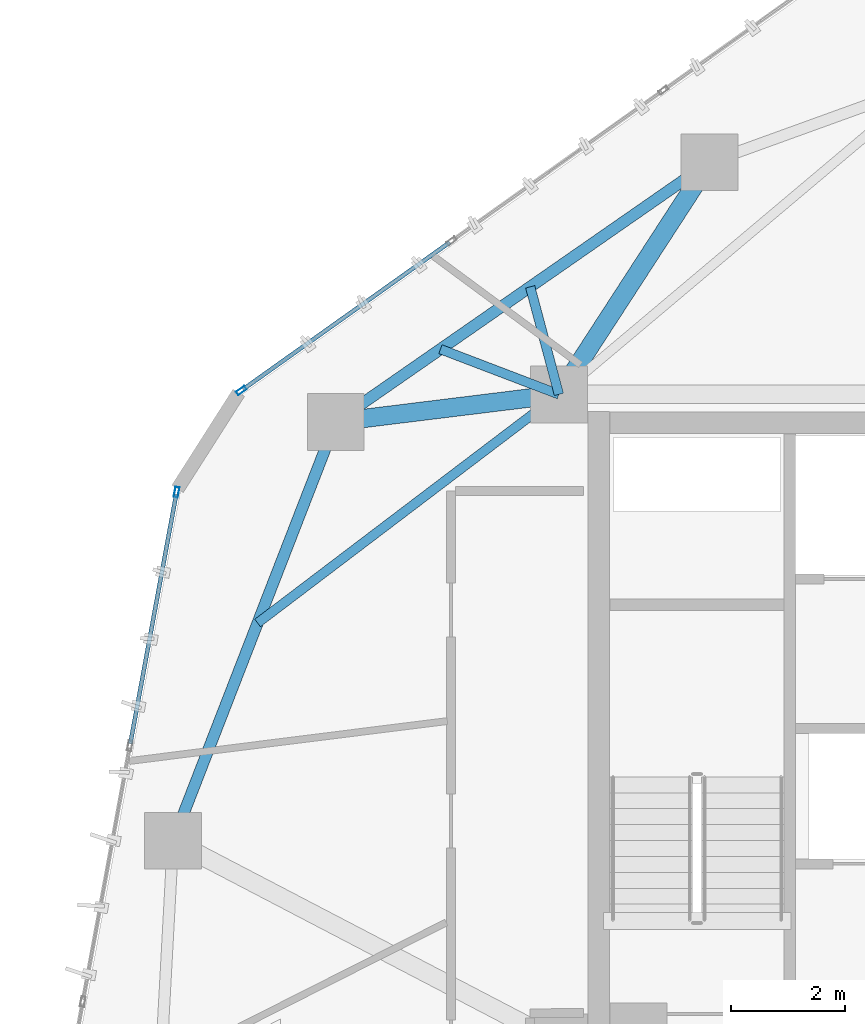
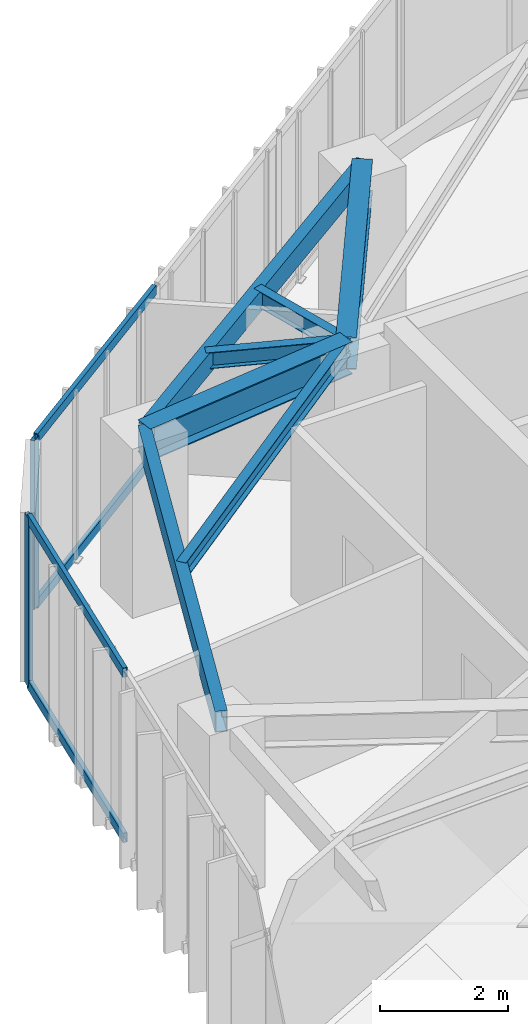
# One storey, part 7 of 19: 7 beams, 6 members, 2 elements without a shape of their own.
"""IFC4 building model written with IfcOpenShell, lengths in metres."""

import ifcopenshell
import ifcopenshell.guid

model = None  # the IFC model being written
_history = None  # IfcOwnerHistory: only IFC2X3 demands one
_inside = {}  # id of a spatial element -> (the spatial element, [elements in it])
_under = {}  # id of a project, library or spatial element -> (it, [spatial elements below it])
_declared = {}  # id of a project -> (the project, [libraries it declares])
_typed = {}  # id of a type object -> (the type object, [elements of that type])
_made_of = {}  # id of a material, layer set ... -> (it, [elements and type objects made of it])


def new_model(schema):
    """Start an empty IFC model of exactly this schema.

    Asked for "IFC4X3", IfcOpenShell would pick the latest addendum, in which some entities
    have other attributes; the version numbers below select the first issue.
    IFC2X3 requires an IfcOwnerHistory on every rooted entity: one is made here for all.
    """
    global model, _history
    if schema == "IFC4X3":
        model = ifcopenshell.file(schema_version=(4, 3, 0, 0))
    else:
        model = ifcopenshell.file(schema=schema)
    _inside.clear()
    _under.clear()
    _declared.clear()
    _typed.clear()
    _made_of.clear()
    _history = None
    if model.schema == "IFC2X3":
        org = make("IfcOrganization", Name="unknown")
        user = make(
            "IfcPersonAndOrganization",
            ThePerson=make("IfcPerson", FamilyName="unknown"),
            TheOrganization=org,
        )
        app = make(
            "IfcApplication",
            ApplicationDeveloper=org,
            Version="unknown",
            ApplicationFullName="unknown",
            ApplicationIdentifier="unknown",
        )
        _history = make(
            "IfcOwnerHistory",
            OwningUser=user,
            OwningApplication=app,
            ChangeAction="ADDED",
            CreationDate=0,
        )
    return model


def make(cls, **values):
    """One entity of the class cls with the attributes given. An attribute that is None is left unset."""
    return model.create_entity(
        cls, **{name: value for name, value in values.items() if value is not None}
    )


def rooted(cls, **values):
    """An entity with a GlobalId (a new one), such as an element, a storey or a relation."""
    return make(cls, GlobalId=ifcopenshell.guid.new(), OwnerHistory=_history, **values)


def si_unit(unit_type, name, prefix=None):
    """IfcSIUnit, for example si_unit("LENGTHUNIT", "METRE", prefix="MILLI")."""
    return make("IfcSIUnit", UnitType=unit_type, Prefix=prefix, Name=name)


def assignment(units):
    """IfcUnitAssignment: the units of a project."""
    return None if units is None else make("IfcUnitAssignment", Units=units)


def point(xyz):
    """IfcCartesianPoint."""
    return None if xyz is None else make("IfcCartesianPoint", Coordinates=xyz)


def direction(xyz):
    """IfcDirection."""
    return None if xyz is None else make("IfcDirection", DirectionRatios=xyz)


def frame(location, z_axis=None, x_axis=None):
    """IfcAxis2Placement3D, a coordinate frame: its origin and axes. An axis left out is left unset."""
    return make(
        "IfcAxis2Placement3D",
        Location=point(location),
        Axis=direction(z_axis),
        RefDirection=direction(x_axis),
    )


def frame_2d(location, x_axis=None):
    """IfcAxis2Placement2D, a coordinate frame in the plane: its origin and x axis."""
    return make(
        "IfcAxis2Placement2D", Location=point(location), RefDirection=direction(x_axis)
    )


def origin():
    """The frame at (0, 0, 0) with its axes left unset."""
    return frame((0.0, 0.0, 0.0))


def origin_2d():
    """The frame at (0, 0) in the plane with its x axis left unset."""
    return frame_2d((0.0, 0.0))


def place(relative_to, where):
    """IfcLocalPlacement: puts the frame where relative to a parent placement (None: the world)."""
    return make(
        "IfcLocalPlacement", PlacementRelTo=relative_to, RelativePlacement=where
    )


def context(
    kind, dimensions, precision=None, world=None, true_north=None, identifier=None
):
    """IfcGeometricRepresentationContext, for example the 3D "Model" context."""
    return make(
        "IfcGeometricRepresentationContext",
        ContextIdentifier=identifier,
        ContextType=kind,
        CoordinateSpaceDimension=dimensions,
        Precision=precision,
        WorldCoordinateSystem=world,
        TrueNorth=true_north,
    )


def subcontext(parent, identifier, kind, view, scale=None):
    """IfcGeometricRepresentationSubContext, for example "Body" below "Model"."""
    return make(
        "IfcGeometricRepresentationSubContext",
        ContextIdentifier=identifier,
        ContextType=kind,
        ParentContext=parent,
        TargetScale=scale,
        TargetView=view,
    )


def project(units=None, contexts=None):
    """IfcProject with its units and contexts."""
    return rooted(
        "IfcProject",
        Name="project",
        RepresentationContexts=contexts,
        UnitsInContext=assignment(units),
    )


def spatial(cls, under=None, at=None, **own):
    """A site, building, storey or space (cls), placed at a placement, below another one or the project."""
    s = rooted(cls, ObjectPlacement=at, **own)
    if under is not None:
        _under.setdefault(under.id(), (under, []))[1].append(s)
    return s


def profile(cls, at=None, kind="AREA", **sizes):
    """A parametric profile (cls). Its sizes go by their IFC names, for example OverallWidth=200.0."""
    return make(cls, ProfileType=kind, Position=at, **sizes)


def hollow_rectangle(**sizes):
    """IfcRectangleHollowProfileDef."""
    return profile("IfcRectangleHollowProfileDef", **sizes)


def i_section(**sizes):
    """IfcIShapeProfileDef."""
    return profile("IfcIShapeProfileDef", **sizes)


def extrude(swept, where, along, depth):
    """IfcExtrudedAreaSolid: the profile swept, set in the frame where, extruded along a direction by depth."""
    return make(
        "IfcExtrudedAreaSolid",
        SweptArea=swept,
        Position=where,
        ExtrudedDirection=direction(along),
        Depth=depth,
    )


def shape(context_of_items, identifier, shape_type, items):
    """IfcShapeRepresentation: the items that make up one representation, for example the "Body"."""
    return make(
        "IfcShapeRepresentation",
        ContextOfItems=context_of_items,
        RepresentationIdentifier=identifier,
        RepresentationType=shape_type,
        Items=items,
    )


def source(mapping_origin, context_of_items, identifier, shape_type, items):
    """IfcRepresentationMap: a shape defined once, which mapped items show again and again."""
    return make(
        "IfcRepresentationMap",
        MappingOrigin=mapping_origin,
        MappedRepresentation=shape(context_of_items, identifier, shape_type, items),
    )


def transform(
    local_origin,
    x_axis=None,
    y_axis=None,
    z_axis=None,
    scale=None,
    scale2=None,
    scale3=None,
    uniform=True,
):
    """IfcCartesianTransformationOperator3D, or its non-uniform kind. x_axis, y_axis, z_axis: its Axis1, 2, 3."""
    if uniform:
        return make(
            "IfcCartesianTransformationOperator3D",
            Axis1=direction(x_axis),
            Axis2=direction(y_axis),
            LocalOrigin=point(local_origin),
            Scale=scale,
            Axis3=direction(z_axis),
        )
    return make(
        "IfcCartesianTransformationOperator3DnonUniform",
        Axis1=direction(x_axis),
        Axis2=direction(y_axis),
        LocalOrigin=point(local_origin),
        Scale=scale,
        Axis3=direction(z_axis),
        Scale2=scale2,
        Scale3=scale3,
    )


def mapped(mapping_source, mapping_target):
    """IfcMappedItem: shows the shape of a source again, moved by a transform."""
    return make(
        "IfcMappedItem", MappingSource=mapping_source, MappingTarget=mapping_target
    )


def material(Name=None, Category=None):
    """IfcMaterial."""
    return make("IfcMaterial", Name=Name, Category=Category)


def layer(
    of_material, thickness, ventilated=None, Name=None, Category=None, Priority=None
):
    """IfcMaterialLayer: one layer of a wall or slab, of a material (None: an air gap)."""
    return make(
        "IfcMaterialLayer",
        Material=of_material,
        LayerThickness=thickness,
        IsVentilated=ventilated,
        Name=Name,
        Category=Category,
        Priority=Priority,
    )


def layer_set(layers, Name=None):
    """IfcMaterialLayerSet."""
    return make("IfcMaterialLayerSet", MaterialLayers=layers, LayerSetName=Name)


def material_profile(
    of_material, cross_section, Name=None, Category=None, Priority=None
):
    """IfcMaterialProfile: a cross section and its material."""
    return make(
        "IfcMaterialProfile",
        Name=Name,
        Material=of_material,
        Profile=cross_section,
        Priority=Priority,
        Category=Category,
    )


def profile_set(profiles, Name=None, composite=None):
    """IfcMaterialProfileSet."""
    return make(
        "IfcMaterialProfileSet",
        Name=Name,
        MaterialProfiles=profiles,
        CompositeProfile=composite,
    )


def made_of(thing, what):
    """Note that an element or type object is made of a material, layer set ...; save() writes the relation."""
    if what is not None:
        _made_of.setdefault(what.id(), (what, []))[1].append(thing)
    return thing


def type_object(cls, material=None, **own):
    """A type object (cls), such as IfcWallType, which elements share."""
    return made_of(rooted(cls, **own), material)


def type_shapes(of_type, sources):
    """Give a type object the sources (RepresentationMaps) that its elements show as mapped items."""
    of_type.RepresentationMaps = sources


def element(
    cls,
    number,
    at=None,
    inside=None,
    cuts=None,
    type_object=None,
    material=None,
    context=None,
    identifier="Body",
    shape_type=None,
    held_by="IfcProductDefinitionShape",
    body=None,
    shapes=None,
    **own,
):
    """One element of the class cls, such as IfcWall. Its Tag is "e" and its number.

    at: its placement. inside: the storey or other place that contains it. cuts: it is an
    opening in that element (IfcRelVoidsElement). A single representation is given by context,
    identifier, shape_type and body (its items); several are given by shapes. held_by: the class
    of the entity that holds the representations. save() writes the other relations.
    """
    e = rooted(cls, Tag="e%d" % number, ObjectPlacement=at, **own)
    if body is not None:
        shapes = [shape(context, identifier, shape_type, body)]
    if shapes is not None:
        e.Representation = make(held_by, Representations=shapes)
    if inside is not None:
        _inside.setdefault(inside.id(), (inside, []))[1].append(e)
    if cuts is not None:
        rooted(
            "IfcRelVoidsElement", RelatingBuildingElement=cuts, RelatedOpeningElement=e
        )
    if type_object is not None:
        _typed.setdefault(type_object.id(), (type_object, []))[1].append(e)
    return made_of(e, material)


def aggregate(whole, parts):
    """IfcRelAggregates: a whole, such as a stair, and the parts it consists of."""
    return rooted("IfcRelAggregates", RelatingObject=whole, RelatedObjects=parts)


def save(model, path):
    """Write the relations noted so far, then the file.

    IfcRelAggregates (storeys below a building ...), IfcRelContainedInSpatialStructure (elements
    in a storey), IfcRelDefinesByType, IfcRelAssociatesMaterial and IfcRelDeclares: one each for
    every whole, place, type object, material and project.
    """
    for whole, parts in _under.values():
        aggregate(whole, parts)
    for where, things in _inside.values():
        rooted(
            "IfcRelContainedInSpatialStructure",
            RelatedElements=things,
            RelatingStructure=where,
        )
    for kind, things in _typed.values():
        rooted("IfcRelDefinesByType", RelatedObjects=things, RelatingType=kind)
    for what, things in _made_of.values():
        rooted("IfcRelAssociatesMaterial", RelatedObjects=things, RelatingMaterial=what)
    for by, libraries in _declared.values():
        rooted("IfcRelDeclares", RelatingContext=by, RelatedDefinitions=libraries)
    model.write(path)


model = new_model("IFC4")

# Units and contexts
model_context = context("Model", 3, precision=1e-05, world=origin(), true_north=direction((0.0, 1.0)))
body_context = subcontext(model_context, "Body", "Model", "MODEL_VIEW")
ifc_project = project(units=[si_unit("LENGTHUNIT", "METRE"), si_unit("AREAUNIT", "SQUARE_METRE"), si_unit("VOLUMEUNIT", "CUBIC_METRE"), si_unit("PLANEANGLEUNIT", "RADIAN"), si_unit("MASSUNIT", "GRAM", prefix="KILO")], contexts=[model_context])

# Site, building, storey
site_placement = place(None, origin())
site = spatial("IfcSite", under=ifc_project, at=site_placement, CompositionType="ELEMENT")
building_placement = place(site_placement, origin())
building = spatial("IfcBuilding", under=site, at=building_placement, Name="Talar Marvaseh", CompositionType="ELEMENT")
storey_placement = place(building_placement, frame((0.0, 0.0, 195.0)))
storey = spatial("IfcBuildingStorey", under=building, at=storey_placement, Name="L51", CompositionType="ELEMENT", Elevation=195.0)

# Beams
ifc_material_1 = material(Name="Steel S355", Category="steel")
ifc_material_profile_1 = material_profile(ifc_material_1, hollow_rectangle(XDim=0.199951171875, YDim=0.39990234375, WallThickness=0.013916015625, at=origin_2d()), Name="RHS400x200x14")
ifc_profile_set_1 = profile_set([ifc_material_profile_1], Name="Steel S355")
beam_type_1 = type_object("IfcBeamType", Name="Zone 3 Perimeter Spandrel Beam RHS400x200x14", PredefinedType="SPANDREL", material=ifc_profile_set_1)
beam_1_placement = place(storey_placement, frame((11.908935546875, 29.044921875, 3.030029296875), z_axis=(0.362169134611, 0.932112395548, 0.0), x_axis=(-0.932112395548, 0.362169134611, 0.0)))
element("IfcBeam", 1, at=beam_1_placement, inside=storey, type_object=beam_type_1, Name="L51 Zone 3 Perimeter Spandrel Beam RHS400x200x14", PredefinedType="SPANDREL", context=body_context, shape_type="SweptSolid", body=[
    extrude(hollow_rectangle(XDim=0.199951171875, YDim=0.39990234375, WallThickness=0.013916015625, at=origin_2d()), origin(), (0.0, 0.0, 1.0), 7.907958984375),
])
beam_2_placement = place(storey_placement, frame((14.77294921875, 36.416015625, 3.030029296875), z_axis=(0.821296978901, 0.570500896098, 0.0), x_axis=(-0.570500896098, 0.821296978901, 0.0)))
element("IfcBeam", 2, at=beam_2_placement, inside=storey, type_object=beam_type_1, Name="L51 Zone 3 Perimeter Spandrel Beam RHS400x200x14", PredefinedType="SPANDREL", context=body_context, shape_type="SweptSolid", body=[
    extrude(hollow_rectangle(XDim=0.199951171875, YDim=0.39990234375, WallThickness=0.013916015625, at=origin_2d()), origin(), (0.0, 0.0, 1.0), 8.0107421875),
])
ifc_material_profile_2 = material_profile(ifc_material_1, i_section(OverallWidth=0.324951171875, OverallDepth=0.615966796875, WebThickness=0.013916015625, FlangeThickness=0.021484375, at=origin_2d()), Name="W610x174")
ifc_profile_set_2 = profile_set([ifc_material_profile_2], Name="Steel S355")
beam_type_2 = type_object("IfcBeamType", Name="Zone 3 Radial Floor Girder W610x174", PredefinedType="BEAM", material=ifc_profile_set_2)
beam_3_placement = place(storey_placement, frame((14.77294921875, 36.416015625, 2.922119140625), z_axis=(0.99249373738, 0.122295467049, 0.0), x_axis=(-0.122295467049, 0.99249373738, 0.0)))
element("IfcBeam", 3, at=beam_3_placement, inside=storey, type_object=beam_type_2, Name="L51 Zone 3 Radial Floor Girder W610x174", PredefinedType="BEAM", context=body_context, shape_type="SweptSolid", body=[
    extrude(i_section(OverallWidth=0.324951171875, OverallDepth=0.615966796875, WebThickness=0.013916015625, FlangeThickness=0.021484375, at=origin_2d()), origin(), (0.0, 0.0, 1.0), 3.956787109375),
])
beam_4_placement = place(storey_placement, frame((21.35205078125, 40.986083984375, 2.922119140625), z_axis=(-0.544422757063, -0.838810980849, 0.0), x_axis=(0.838810980849, -0.544422757063, 0.0)))
element("IfcBeam", 4, at=beam_4_placement, inside=storey, type_object=beam_type_2, Name="L51 Zone 3 Radial Floor Girder W610x174", PredefinedType="BEAM", context=body_context, shape_type="SweptSolid", body=[
    extrude(i_section(OverallWidth=0.324951171875, OverallDepth=0.615966796875, WebThickness=0.013916015625, FlangeThickness=0.021484375, at=origin_2d()), origin(), (0.0, 0.0, 1.0), 4.871337890625),
])
ifc_material_profile_3 = material_profile(ifc_material_1, i_section(OverallWidth=0.166015625, OverallDepth=0.31298828125, WebThickness=0.006591796875, FlangeThickness=0.01123046875, at=origin_2d()), Name="W310x45")
ifc_profile_set_3 = profile_set([ifc_material_profile_3], Name="Steel S355")
beam_type_3 = type_object("IfcBeamType", Name="Zone 3 Secondary Floor Joist W310x45", PredefinedType="JOIST", material=ifc_profile_set_3)
beam_5_placement = place(storey_placement, frame((13.398193359375, 32.8779296875, 3.073486328125), z_axis=(0.796694925744, 0.604381663598, 0.0), x_axis=(-0.604381663598, 0.796694925744, 0.0)))
element("IfcBeam", 5, at=beam_5_placement, inside=storey, type_object=beam_type_3, Name="L51 Zone 3 Secondary Floor Joist W310x45", PredefinedType="JOIST", context=body_context, shape_type="SweptSolid", body=[
    extrude(i_section(OverallWidth=0.166015625, OverallDepth=0.31298828125, WebThickness=0.006591796875, FlangeThickness=0.01123046875, at=origin_2d()), origin(), (0.0, 0.0, 1.0), 6.65478515625),
])
beam_6_placement = place(storey_placement, frame((16.614990234375, 37.695556640625, 3.073486328125), z_axis=(0.934281341688, -0.356536638473, 0.0), x_axis=(0.356536638473, 0.934281341688, 0.0)))
element("IfcBeam", 6, at=beam_6_placement, inside=storey, type_object=beam_type_3, Name="L51 Zone 3 Secondary Floor Joist W310x45", PredefinedType="JOIST", context=body_context, shape_type="SweptSolid", body=[
    extrude(i_section(OverallWidth=0.166015625, OverallDepth=0.31298828125, WebThickness=0.006591796875, FlangeThickness=0.01123046875, at=origin_2d()), origin(), (0.0, 0.0, 1.0), 2.231689453125),
])
beam_7_placement = place(storey_placement, frame((18.194091796875, 38.79248046875, 3.073486328125), z_axis=(0.258221088864, -0.966085849842, 0.0), x_axis=(0.966085849842, 0.258221088864, 0.0)))
element("IfcBeam", 7, at=beam_7_placement, inside=storey, type_object=beam_type_3, Name="L51 Zone 3 Secondary Floor Joist W310x45", PredefinedType="JOIST", context=body_context, shape_type="SweptSolid", body=[
    extrude(i_section(OverallWidth=0.166015625, OverallDepth=0.31298828125, WebThickness=0.006591796875, FlangeThickness=0.01123046875, at=origin_2d()), origin(), (0.0, 0.0, 1.0), 1.958984375),
])

# Curtain wall, member
ifc_material_2 = material(Name="Architectural Aluminium", Category="aluminium")
ifc_layer = layer(ifc_material_2, 0.18994140625)
ifc_layer_set = layer_set([ifc_layer], Name="Architectural Aluminium")
curtain_wall_type = type_object("IfcCurtainWallType", Name="Unitised Solar Atelier Curtain Wall Z3", PredefinedType="NOTDEFINED", material=ifc_layer_set)
curtain_wall_1_placement = place(storey_placement, origin())
curtain_wall_1 = element("IfcCurtainWall", 8, at=curtain_wall_1_placement, inside=storey, type_object=curtain_wall_type, Name="L51 Unitised Solar Atelier Curtain Wall Z3", PredefinedType="NOTDEFINED")
ifc_material_profile_4 = material_profile(ifc_material_2, hollow_rectangle(XDim=0.074951171875, YDim=0.179931640625, WallThickness=0.0048828125, at=origin_2d()), Name="RHS180x75x5")
ifc_profile_set_4 = profile_set([ifc_material_profile_4], Name="Architectural Aluminium")
member_type_1 = type_object("IfcMemberType", Name="Unitised Curtain Wall Standard Mullion RHS180x75x5", PredefinedType="MULLION", material=ifc_profile_set_4)
shared_shape_1 = source(origin(), body_context, "Body", "SweptSolid", [
    extrude(hollow_rectangle(XDim=0.074951171875, YDim=0.179931640625, WallThickness=0.0048828125, at=origin_2d()), origin(), (0.0, 0.0, 1.0), 3.22998046875),
])
type_shapes(member_type_1, [shared_shape_1])
member_1_placement = place(storey_placement, frame((11.973388671875, 35.180419921875, 0.0), z_axis=(0.0, 0.0, 1.0), x_axis=(-0.983470392607, 0.181069011334, 0.0)))
member_1 = element("IfcMember", 9, at=member_1_placement, type_object=member_type_1, Name="CW-Z3 mullion 4", PredefinedType="MULLION", context=body_context, shape_type="MappedRepresentation", body=[
    mapped(shared_shape_1, transform((0.0, 0.0, 0.0), x_axis=(1.0, 0.0, 0.0), y_axis=(0.0, 1.0, 0.0), z_axis=(0.0, 0.0, 1.0), scale=1.0)),
])

curtain_wall_2_placement = place(storey_placement, origin())
curtain_wall_2 = element("IfcCurtainWall", 10, at=curtain_wall_2_placement, inside=storey, type_object=curtain_wall_type, Name="L51 Unitised Solar Atelier Curtain Wall Z3", PredefinedType="NOTDEFINED")
member_2_placement = place(storey_placement, frame((13.111328125, 36.966552734375, 0.0), z_axis=(0.0, 0.0, 1.0), x_axis=(-0.579739587699, 0.81480182281, 0.0)))
member_2 = element("IfcMember", 11, at=member_2_placement, type_object=member_type_1, Name="CW-Z3 mullion 1", PredefinedType="MULLION", context=body_context, shape_type="MappedRepresentation", body=[
    mapped(shared_shape_1, transform((0.0, 0.0, 0.0), x_axis=(1.0, 0.0, 0.0), y_axis=(0.0, 1.0, 0.0), z_axis=(0.0, 0.0, 1.0), scale=1.0)),
])

# Member
ifc_material_profile_5 = material_profile(ifc_material_2, hollow_rectangle(XDim=0.074951171875, YDim=0.179931640625, WallThickness=0.0048828125, at=origin_2d()), Name="RHS180x75x5")
ifc_profile_set_5 = profile_set([ifc_material_profile_5], Name="Architectural Aluminium")
member_type_2 = type_object("IfcMemberType", Name="Unitised Curtain Wall Transom RHS180x75x5", PredefinedType="USERDEFINED", material=ifc_profile_set_5)
shared_shape_2 = source(origin(), body_context, "Body", "SweptSolid", [
    extrude(hollow_rectangle(XDim=0.074951171875, YDim=0.179931640625, WallThickness=0.0048828125, at=origin_2d()), origin(), (0.0, 0.0, 1.0), 4.464599609375),
])
member_3_placement = place(storey_placement, frame((11.158203125, 30.752685546875, 0.03759765625), z_axis=(0.181055260067, 0.983472924285, 0.0), x_axis=(-0.983472924285, 0.181055260067, 0.0)))
member_3 = element("IfcMember", 12, at=member_3_placement, type_object=member_type_2, Name="CW-Z3 transom 3.1", ObjectType="TRANSOM", PredefinedType="USERDEFINED", context=body_context, shape_type="MappedRepresentation", body=[
    mapped(shared_shape_2, transform((0.0, 0.0, 0.0), x_axis=(1.0, 0.0, 0.0), y_axis=(0.0, 1.0, 0.0), z_axis=(0.0, 0.0, 1.0), scale=1.0)),
])

member_4_placement = place(storey_placement, frame((11.158203125, 30.752685546875, 3.1923828125), z_axis=(0.181055260067, 0.983472924285, 0.0), x_axis=(-0.983472924285, 0.181055260067, 0.0)))
member_4 = element("IfcMember", 13, at=member_4_placement, type_object=member_type_2, Name="CW-Z3 transom 3.2", ObjectType="TRANSOM", PredefinedType="USERDEFINED", context=body_context, shape_type="MappedRepresentation", body=[
    mapped(shared_shape_2, transform((0.0, 0.0, 0.0), x_axis=(1.0, 0.0, 0.0), y_axis=(0.0, 1.0, 0.0), z_axis=(0.0, 0.0, 1.0), scale=1.0)),
])

aggregate(curtain_wall_1, [member_1, member_3, member_4])

shared_shape_3 = source(origin(), body_context, "Body", "SweptSolid", [
    extrude(hollow_rectangle(XDim=0.074951171875, YDim=0.179931640625, WallThickness=0.0048828125, at=origin_2d()), origin(), (0.0, 0.0, 1.0), 4.46484375),
])
type_shapes(member_type_2, [shared_shape_2, shared_shape_3])
member_5_placement = place(storey_placement, frame((13.141845703125, 36.98828125, 0.03759765625), z_axis=(0.814807233205, 0.579731983521, 0.0), x_axis=(-0.579731983521, 0.814807233205, 0.0)))
member_5 = element("IfcMember", 14, at=member_5_placement, type_object=member_type_2, Name="CW-Z3 transom 1.1", ObjectType="TRANSOM", PredefinedType="USERDEFINED", context=body_context, shape_type="MappedRepresentation", body=[
    mapped(shared_shape_3, transform((0.0, 0.0, 0.0), x_axis=(1.0, 0.0, 0.0), y_axis=(0.0, 1.0, 0.0), z_axis=(0.0, 0.0, 1.0), scale=1.0)),
])

member_6_placement = place(storey_placement, frame((13.141845703125, 36.98828125, 3.1923828125), z_axis=(0.814807233205, 0.579731983521, 0.0), x_axis=(-0.579731983521, 0.814807233205, 0.0)))
member_6 = element("IfcMember", 15, at=member_6_placement, type_object=member_type_2, Name="CW-Z3 transom 1.2", ObjectType="TRANSOM", PredefinedType="USERDEFINED", context=body_context, shape_type="MappedRepresentation", body=[
    mapped(shared_shape_3, transform((0.0, 0.0, 0.0), x_axis=(1.0, 0.0, 0.0), y_axis=(0.0, 1.0, 0.0), z_axis=(0.0, 0.0, 1.0), scale=1.0)),
])

aggregate(curtain_wall_2, [member_2, member_5, member_6])

save(model, "model.ifc")
